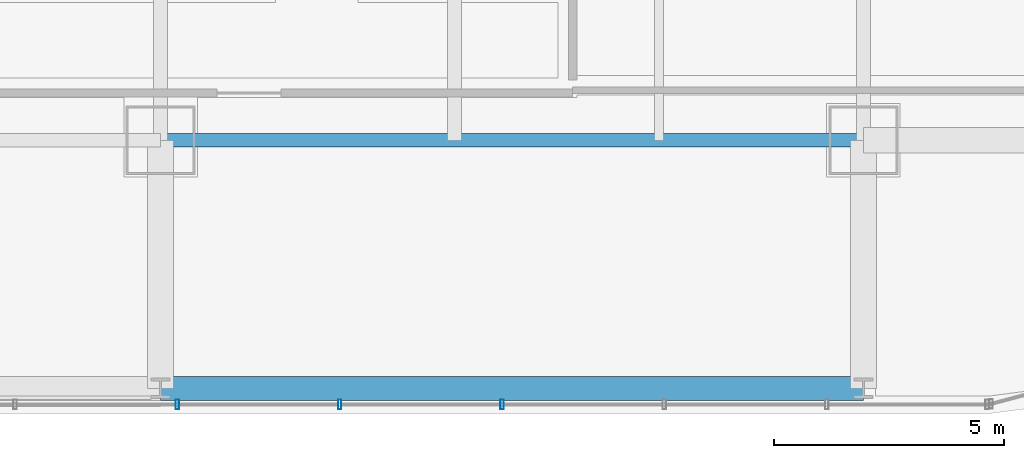
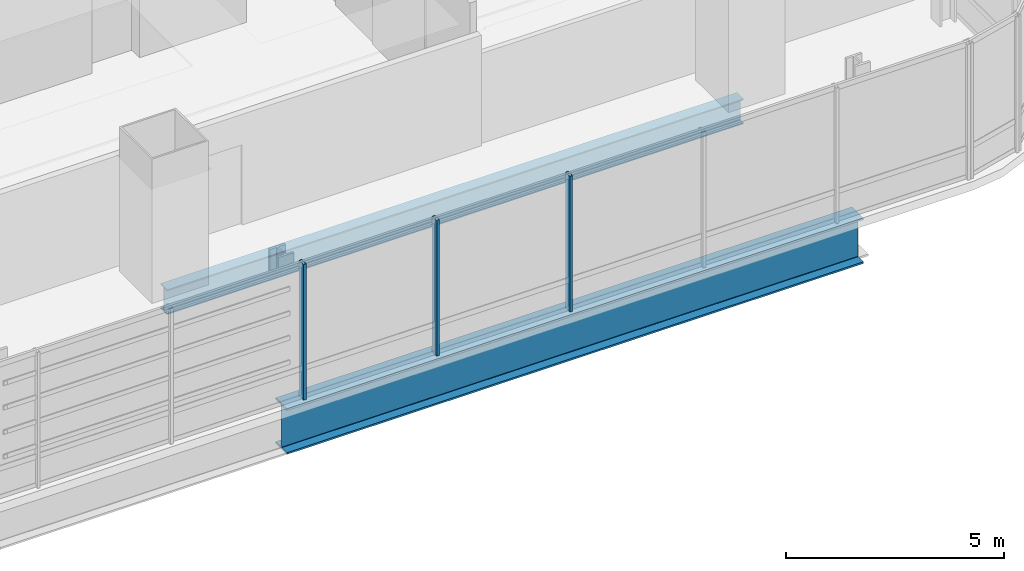
# One storey, part 6 of 35: 3 members, 2 beams, 1 element without a shape of its own.
"""IFC4 building model written with IfcOpenShell, lengths in metres."""

from ifc_helpers import new_model, si_unit, direction, frame, origin, origin_2d, place, context, subcontext, project, spatial, hollow_rectangle, i_section, extrude, material, material_profile, profile_set, type_object, element, aggregate, save


model = new_model("IFC4")

# Units and contexts
model_context = context("Model", 3, precision=1e-05, world=origin(), true_north=direction((0.0, 1.0)))
body_context = subcontext(model_context, "Body", "Model", "MODEL_VIEW")
ifc_project = project(units=[si_unit("LENGTHUNIT", "METRE"), si_unit("AREAUNIT", "SQUARE_METRE"), si_unit("VOLUMEUNIT", "CUBIC_METRE"), si_unit("PLANEANGLEUNIT", "RADIAN"), si_unit("MASSUNIT", "GRAM", prefix="KILO")], contexts=[model_context])

# Site, building, storey
site_placement = place(None, origin())
site = spatial("IfcSite", under=ifc_project, at=site_placement, CompositionType="ELEMENT")
building_placement = place(site_placement, origin())
building = spatial("IfcBuilding", under=site, at=building_placement, Name="Punatoya Terracotta Tower", CompositionType="ELEMENT")
storey_placement = place(building_placement, frame((0.0, 0.0, 64.64990234375)))
storey = spatial("IfcBuildingStorey", under=building, at=storey_placement, Name="L14", CompositionType="ELEMENT", Elevation=64.64990234375)

# Beams
ifc_material_1 = material(Name="Steel S355", Category="steel")
ifc_material_profile_1 = material_profile(ifc_material_1, i_section(OverallWidth=0.300048828125, OverallDepth=0.699951171875, WebThickness=0.01708984375, FlangeThickness=0.031982421875, FilletRadius=0.01806640625, at=origin_2d()))
ifc_profile_set_1 = profile_set([ifc_material_profile_1], Name="Steel S355")
beam_type_1 = type_object("IfcBeamType", Name="BM-PRI-700", PredefinedType="BEAM", material=ifc_profile_set_1)
beam_1_placement = place(storey_placement, frame((3.800048828125, -17.5, -0.58984375), z_axis=(1.0, 0.0, 0.0), x_axis=(0.0, 1.0, 0.0)))
element("IfcBeam", 1, at=beam_1_placement, inside=storey, type_object=beam_type_1, Name="BM-L14-RG-S3", PredefinedType="BEAM", context=body_context, shape_type="SweptSolid", body=[
    extrude(i_section(OverallWidth=0.300048828125, OverallDepth=0.699951171875, WebThickness=0.01708984375, FlangeThickness=0.031982421875, FilletRadius=0.01806640625, at=origin_2d()), origin(), (0.0, 0.0, 1.0), 15.300048828125),
])
ifc_material_2 = material(Name="Steel S460", Category="steel")
ifc_material_profile_2 = material_profile(ifc_material_2, i_section(OverallWidth=0.52001953125, OverallDepth=1.280029296875, WebThickness=0.031982421875, FlangeThickness=0.050048828125, FilletRadius=0.01806640625, at=origin_2d()))
ifc_profile_set_2 = profile_set([ifc_material_profile_2], Name="Steel S460")
beam_type_2 = type_object("IfcBeamType", Name="BM-TG-NCK", PredefinedType="BEAM", material=ifc_profile_set_2)
beam_2_placement = place(storey_placement, frame((3.800048828125, -22.89990234375, -0.8798828125), z_axis=(1.0, 0.0, 0.0), x_axis=(0.0, 1.0, 0.0)))
element("IfcBeam", 2, at=beam_2_placement, inside=storey, type_object=beam_type_2, Name="BM-L14-PER-S3", PredefinedType="BEAM", context=body_context, shape_type="SweptSolid", body=[
    extrude(i_section(OverallWidth=0.52001953125, OverallDepth=1.280029296875, WebThickness=0.031982421875, FlangeThickness=0.050048828125, FilletRadius=0.01806640625, at=origin_2d()), origin(), (0.0, 0.0, 1.0), 15.300048828125),
])

# Curtain wall, members
ifc_material_3 = material(Name="Aluminium 6063-T6 + Double Low-E Glass", Category="aluminium")
curtain_wall_type = type_object("IfcCurtainWallType", Name="CW-M1", PredefinedType="NOTDEFINED", material=ifc_material_3)
curtain_wall_placement = place(storey_placement, origin())
curtain_wall = element("IfcCurtainWall", 3, at=curtain_wall_placement, inside=storey, type_object=curtain_wall_type, Name="L14 Curtain Wall CW-L14-S01-1", PredefinedType="NOTDEFINED")
ifc_material_4 = material(Name="Aluminium 6063-T6", Category="aluminium")
ifc_material_profile_3 = material_profile(ifc_material_4, hollow_rectangle(XDim=0.074951171875, YDim=0.2099609375, WallThickness=0.00439453125, at=origin_2d()))
ifc_profile_set_3 = profile_set([ifc_material_profile_3], Name="Aluminium 6063-T6")
member_type = type_object("IfcMemberType", Name="CW-MUL-M1", PredefinedType="MULLION", material=ifc_profile_set_3)
member_1_placement = place(storey_placement, frame((4.1669921875, -23.25, 0.0), z_axis=(0.0, 0.0, 1.0), x_axis=(1.0, 0.0, 0.0)))
member_1 = element("IfcMember", 4, at=member_1_placement, type_object=member_type, Name="CW-L14-S01-1 Mullion 06", PredefinedType="MULLION", context=body_context, shape_type="SweptSolid", body=[
    extrude(hollow_rectangle(XDim=0.074951171875, YDim=0.2099609375, WallThickness=0.00439453125, at=origin_2d()), origin(), (0.0, 0.0, 1.0), 3.81005859375),
])
member_2_placement = place(storey_placement, frame((7.700927734375, -23.25, 0.0), z_axis=(0.0, 0.0, 1.0), x_axis=(1.0, 0.0, 0.0)))
member_2 = element("IfcMember", 5, at=member_2_placement, type_object=member_type, Name="CW-L14-S01-1 Mullion 07", PredefinedType="MULLION", context=body_context, shape_type="SweptSolid", body=[
    extrude(hollow_rectangle(XDim=0.074951171875, YDim=0.2099609375, WallThickness=0.00439453125, at=origin_2d()), origin(), (0.0, 0.0, 1.0), 3.81005859375),
])
member_3_placement = place(storey_placement, frame((11.235107421875, -23.25, 0.0), z_axis=(0.0, 0.0, 1.0), x_axis=(1.0, 0.0, 0.0)))
member_3 = element("IfcMember", 6, at=member_3_placement, type_object=member_type, Name="CW-L14-S01-1 Mullion 08", PredefinedType="MULLION", context=body_context, shape_type="SweptSolid", body=[
    extrude(hollow_rectangle(XDim=0.074951171875, YDim=0.2099609375, WallThickness=0.00439453125, at=origin_2d()), origin(), (0.0, 0.0, 1.0), 3.81005859375),
])
aggregate(curtain_wall, [member_1, member_2, member_3])

save(model, "model.ifc")
